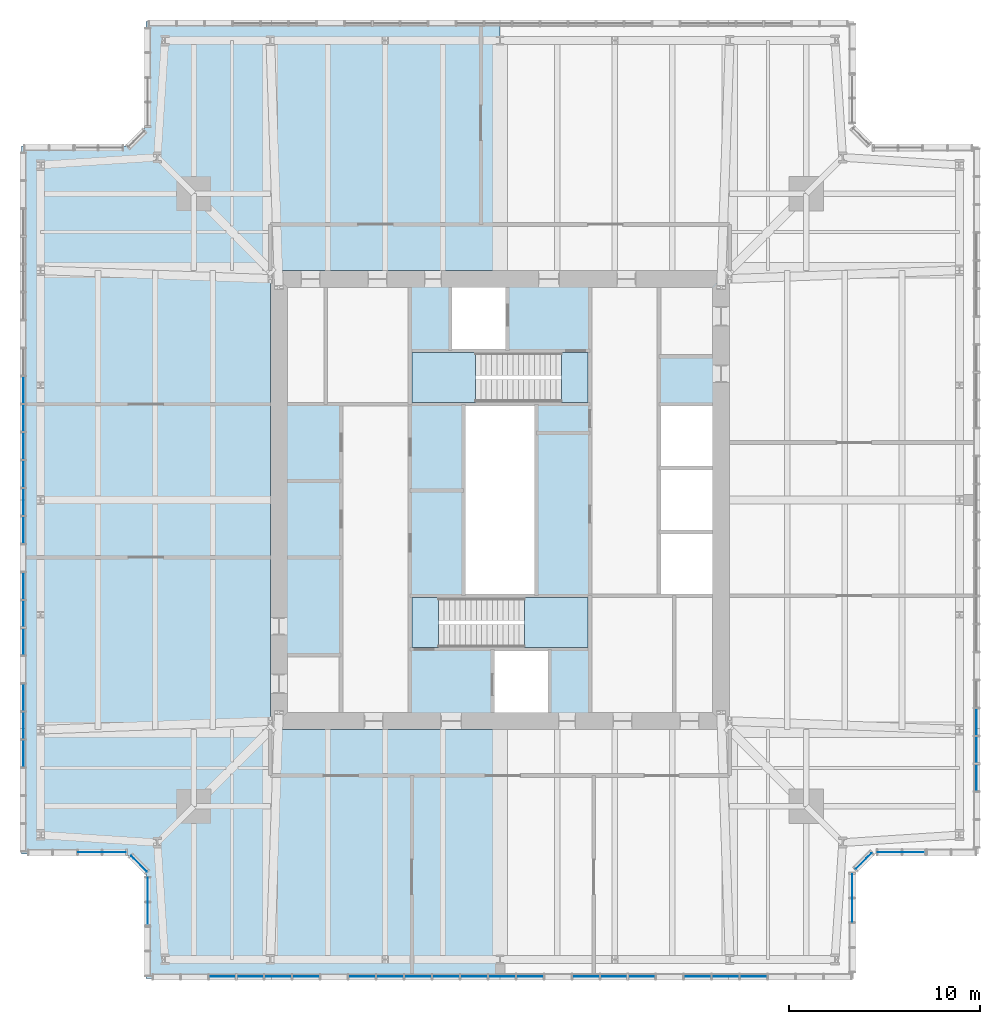
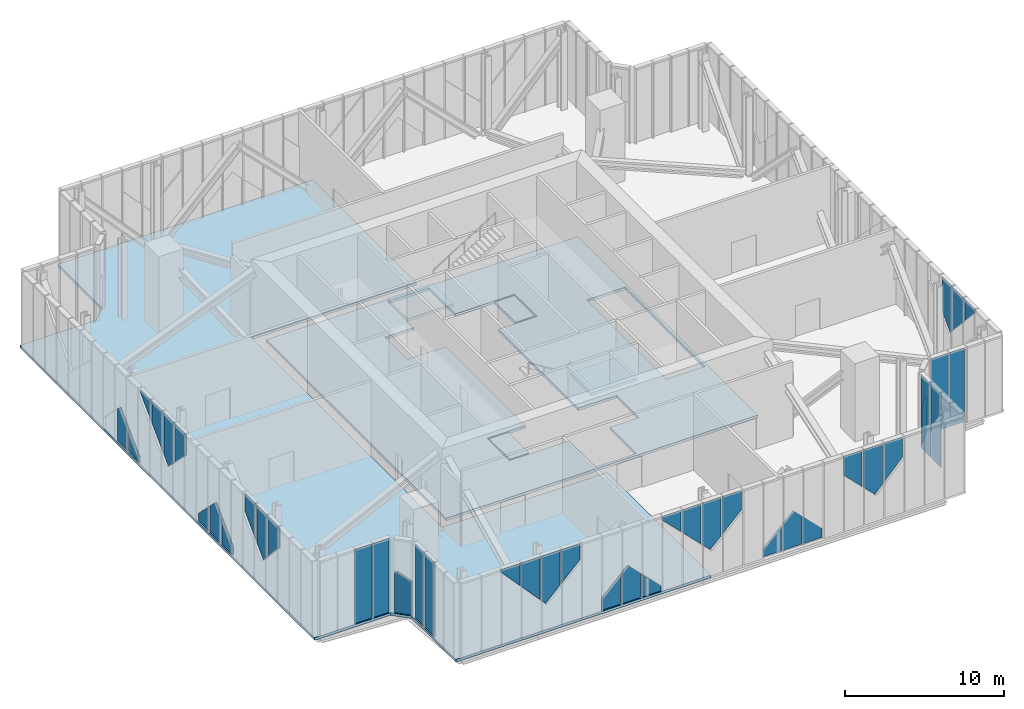
# One storey, part 9 of 18: 42 plates, 6 slabs, 11 elements without a shape of their own.
"""IFC4 building model written with IfcOpenShell, lengths in metres."""

from ifc_helpers import new_model, si_unit, direction, frame, origin, origin_2d, place, context, subcontext, project, spatial, polyline, rectangle, outline, extrude, material, layer, layer_set, type_object, element, aggregate, save


model = new_model("IFC4")

# Units and contexts
model_context = context("Model", 3, precision=1e-05, world=origin(), true_north=direction((0.0, 1.0)))
body_context = subcontext(model_context, "Body", "Model", "MODEL_VIEW")
ifc_project = project(units=[si_unit("LENGTHUNIT", "METRE"), si_unit("AREAUNIT", "SQUARE_METRE"), si_unit("VOLUMEUNIT", "CUBIC_METRE"), si_unit("PLANEANGLEUNIT", "RADIAN"), si_unit("MASSUNIT", "GRAM", prefix="KILO")], contexts=[model_context])

# Site, building, storey
site_placement = place(None, origin())
site = spatial("IfcSite", under=ifc_project, at=site_placement, CompositionType="ELEMENT")
building_placement = place(site_placement, origin())
building = spatial("IfcBuilding", under=site, at=building_placement, Name="Fenwick Lantern Interchange", CompositionType="ELEMENT")
storey_placement = place(building_placement, frame((0.0, 0.0, 301.800048828125)))
storey = spatial("IfcBuildingStorey", under=building, at=storey_placement, Name="L73", CompositionType="ELEMENT", Elevation=301.800048828125)

# Slabs
ifc_material_1 = material(Name="Concrete f'c 35 MPa", Category="concrete")
ifc_layer_1 = layer(ifc_material_1, 0.199951171875)
ifc_layer_set_1 = layer_set([ifc_layer_1], Name="CORE FLOOR SLAB 200")
slab_type_1 = type_object("IfcSlabType", Name="CORE FLOOR SLAB 200", PredefinedType="FLOOR", material=ifc_layer_set_1)
slab_1_placement = place(storey_placement, frame((0.0, 0.0, -0.199951171875)))
element("IfcSlab", 1, at=slab_1_placement, inside=storey, type_object=slab_type_1, Name="L73/SLAB/CORE", PredefinedType="FLOOR", context=body_context, shape_type="SweptSolid", body=[
    extrude(outline(polyline([(13.699951171875, 36.300048828125), (36.300048828125, 36.300048828125), (36.300048828125, 13.699951171875), (13.699951171875, 13.699951171875), (13.699951171875, 36.300048828125)]), holes=[polyline([(24.60009765625, 13.89990234375), (27.60009765625, 13.89990234375), (27.60009765625, 17.199951171875), (29.699951171875, 17.199951171875), (29.699951171875, 20.0), (26.89990234375, 20.0), (26.89990234375, 30.0), (29.699951171875, 30.0), (29.699951171875, 32.800048828125), (25.39990234375, 32.800048828125), (25.39990234375, 36.10009765625), (22.39990234375, 36.10009765625), (22.39990234375, 32.800048828125), (20.300048828125, 32.800048828125), (20.300048828125, 30.0), (23.10009765625, 30.0), (23.10009765625, 20.0), (20.300048828125, 20.0), (20.300048828125, 17.199951171875), (24.60009765625, 17.199951171875), (24.60009765625, 13.89990234375)]), polyline([(33.300048828125, 20.0), (36.10009765625, 20.0), (36.10009765625, 23.333251953125), (36.10009765625, 26.666748046875), (36.10009765625, 30.0), (33.300048828125, 30.0), (33.300048828125, 26.666748046875), (33.300048828125, 23.333251953125), (33.300048828125, 20.0)])]), origin(), (0.0, 0.0, 1.0), 0.199951171875),
])
ifc_material_2 = material(Name="Concrete f'c 35 MPa", Category="concrete")
ifc_layer_2 = layer(ifc_material_2, 0.199951171875)
ifc_layer_set_2 = layer_set([ifc_layer_2], Name="Concrete f'c 35 MPa")
slab_type_2 = type_object("IfcSlabType", Name="FLOOR SLAB 200", PredefinedType="FLOOR", material=ifc_layer_set_2)
slab_2_placement = place(storey_placement, frame((0.0, 0.0, -0.199951171875)))
element("IfcSlab", 2, at=slab_2_placement, inside=storey, type_object=slab_type_2, Name="L73/SLAB/FW", PredefinedType="FLOOR", context=body_context, shape_type="SweptSolid", body=[
    extrude(outline(polyline([(6.5, 0.0), (6.5, 5.5), (5.5, 6.5), (0.0, 6.5), (0.0, 43.5), (5.5, 43.5), (6.5, 44.5), (6.5, 50.0), (25.0, 50.0), (25.0, 37.0), (13.0, 37.0), (13.0, 13.0), (25.0, 13.0), (25.0, 0.0), (6.5, 0.0)])), origin(), (0.0, 0.0, 1.0), 0.199951171875),
])

# Curtain wall, plates
ifc_material_3 = material(Name="Aluminium curtain wall frame", Category="aluminium")
curtain_wall_type = type_object("IfcCurtainWallType", Name="LANTERN GLAZING", PredefinedType="USERDEFINED", material=ifc_material_3)
curtain_wall_1_placement = place(storey_placement, origin())
curtain_wall_1 = element("IfcCurtainWall", 3, at=curtain_wall_1_placement, inside=storey, type_object=curtain_wall_type, Name="Lantern glazing 01", ObjectType="LANTERN GLAZING", PredefinedType="USERDEFINED")
ifc_material_4 = material(Name="Lantern glass, fritted laminated single glazing", Category="glass")
ifc_layer_3 = layer(ifc_material_4, 0.02197265625)
ifc_layer_set_3 = layer_set([ifc_layer_3], Name="LANTERN GLAZING PANEL 22")
plate_type = type_object("IfcPlateType", Name="LANTERN GLAZING PANEL 22", PredefinedType="CURTAIN_PANEL", material=ifc_layer_set_3)
plate_1_placement = place(storey_placement, frame((6.60009765625, 0.10009765625, 3.99658203125), z_axis=(0.0, 0.0, 1.0), x_axis=(1.0, 0.0, 0.0)))
plate_1 = element("IfcPlate", 4, at=plate_1_placement, type_object=plate_type, Name="L73/CW/01/P02a", PredefinedType="CURTAIN_PANEL", context=body_context, shape_type="SweptSolid", body=[
    extrude(outline(polyline([(4.58251953125, 0.0), (4.58251953125, 1.663330078125), (3.20166015625, 1.663330078125), (3.20166015625, 1.50634765625), (4.58251953125, 0.0)])), frame((0.0, 0.010986328125, 0.0), z_axis=(0.0, -1.0, 0.0), x_axis=(1.0, 0.0, 0.0)), (0.0, 0.0, 1.0), 0.02197265625),
])
plate_2_placement = place(storey_placement, frame((6.60009765625, 0.10009765625, 2.403076171875), z_axis=(0.0, 0.0, 1.0), x_axis=(1.0, 0.0, 0.0)))
plate_2 = element("IfcPlate", 5, at=plate_2_placement, type_object=plate_type, Name="L73/CW/01/P03a", PredefinedType="CURTAIN_PANEL", context=body_context, shape_type="SweptSolid", body=[
    extrude(outline(polyline([(6.043212890625, 0.0), (6.043212890625, 3.2568359375), (4.662353515625, 3.2568359375), (4.662353515625, 1.50634765625), (6.043212890625, 0.0)])), frame((0.0, 0.010986328125, 0.0), z_axis=(0.0, -1.0, 0.0), x_axis=(1.0, 0.0, 0.0)), (0.0, 0.0, 1.0), 0.02197265625),
])
plate_3_placement = place(storey_placement, frame((6.60009765625, 0.10009765625, 1.9521484375), z_axis=(0.0, 0.0, 1.0), x_axis=(1.0, 0.0, 0.0)))
plate_3 = element("IfcPlate", 6, at=plate_3_placement, type_object=plate_type, Name="L73/CW/01/P04a", PredefinedType="CURTAIN_PANEL", context=body_context, shape_type="SweptSolid", body=[
    extrude(outline(polyline([(6.45654296875, 0.0), (7.50390625, 1.04736328125), (7.50390625, 3.707763671875), (6.123291015625, 3.707763671875), (6.123291015625, 0.363525390625), (6.45654296875, 0.0)])), frame((0.0, 0.010986328125, 0.0), z_axis=(0.0, -1.0, 0.0), x_axis=(1.0, 0.0, 0.0)), (0.0, 0.0, 1.0), 0.02197265625),
])
plate_4_placement = place(storey_placement, frame((6.60009765625, 0.10009765625, 3.07958984375), z_axis=(0.0, 0.0, 1.0), x_axis=(1.0, 0.0, 0.0)))
plate_4 = element("IfcPlate", 7, at=plate_4_placement, type_object=plate_type, Name="L73/CW/01/P05a", PredefinedType="CURTAIN_PANEL", context=body_context, shape_type="SweptSolid", body=[
    extrude(outline(polyline([(7.583984375, 0.0), (8.96484375, 1.380859375), (8.96484375, 2.580322265625), (7.583984375, 2.580322265625), (7.583984375, 0.0)])), frame((0.0, 0.010986328125, 0.0), z_axis=(0.0, -1.0, 0.0), x_axis=(1.0, 0.0, 0.0)), (0.0, 0.0, 1.0), 0.02197265625),
])
plate_5_placement = place(storey_placement, frame((6.60009765625, 0.10009765625, 0.0), z_axis=(0.0, 0.0, 1.0), x_axis=(1.0, 0.0, 0.0)))
plate_5 = element("IfcPlate", 8, at=plate_5_placement, type_object=plate_type, Name="L73/CW/01/P07a", PredefinedType="CURTAIN_PANEL", context=body_context, shape_type="SweptSolid", body=[
    extrude(outline(polyline([(10.505615234375, 0.0), (11.886474609375, 0.0), (11.886474609375, 2.290771484375), (10.505615234375, 0.909912109375), (10.505615234375, 0.0)])), frame((0.0, 0.010986328125, 0.0), z_axis=(0.0, -1.0, 0.0), x_axis=(1.0, 0.0, 0.0)), (0.0, 0.0, 1.0), 0.02197265625),
])
plate_6_placement = place(storey_placement, frame((6.60009765625, 0.10009765625, 0.0), z_axis=(0.0, 0.0, 1.0), x_axis=(1.0, 0.0, 0.0)))
plate_6 = element("IfcPlate", 9, at=plate_6_placement, type_object=plate_type, Name="L73/CW/01/P08a", PredefinedType="CURTAIN_PANEL", context=body_context, shape_type="SweptSolid", body=[
    extrude(outline(polyline([(11.96630859375, 0.0), (13.34716796875, 0.0), (13.34716796875, 1.857177734375), (12.39990234375, 2.804443359375), (11.96630859375, 2.370849609375), (11.96630859375, 0.0)])), frame((0.0, 0.010986328125, 0.0), z_axis=(0.0, -1.0, 0.0), x_axis=(1.0, 0.0, 0.0)), (0.0, 0.0, 1.0), 0.02197265625),
])
plate_7_placement = place(storey_placement, frame((6.60009765625, 0.10009765625, 0.0), z_axis=(0.0, 0.0, 1.0), x_axis=(1.0, 0.0, 0.0)))
plate_7 = element("IfcPlate", 10, at=plate_7_placement, type_object=plate_type, Name="L73/CW/01/P09a", PredefinedType="CURTAIN_PANEL", context=body_context, shape_type="SweptSolid", body=[
    extrude(outline(polyline([(13.42724609375, 0.0), (14.80810546875, 0.0), (14.80810546875, 0.396484375), (13.42724609375, 1.777099609375), (13.42724609375, 0.0)])), frame((0.0, 0.010986328125, 0.0), z_axis=(0.0, -1.0, 0.0), x_axis=(1.0, 0.0, 0.0)), (0.0, 0.0, 1.0), 0.02197265625),
])
plate_8_placement = place(storey_placement, frame((6.60009765625, 0.10009765625, 4.02685546875), z_axis=(0.0, 0.0, 1.0), x_axis=(1.0, 0.0, 0.0)))
plate_8 = element("IfcPlate", 11, at=plate_8_placement, type_object=plate_type, Name="L73/CW/01/P10a", PredefinedType="CURTAIN_PANEL", context=body_context, shape_type="SweptSolid", body=[
    extrude(outline(polyline([(16.268798828125, 0.0), (16.268798828125, 1.633056640625), (14.887939453125, 1.633056640625), (14.887939453125, 1.380615234375), (16.268798828125, 0.0)])), frame((0.0, 0.010986328125, 0.0), z_axis=(0.0, -1.0, 0.0), x_axis=(1.0, 0.0, 0.0)), (0.0, 0.0, 1.0), 0.02197265625),
])
plate_9_placement = place(storey_placement, frame((6.60009765625, 0.10009765625, 2.56591796875), z_axis=(0.0, 0.0, 1.0), x_axis=(1.0, 0.0, 0.0)))
plate_9 = element("IfcPlate", 12, at=plate_9_placement, type_object=plate_type, Name="L73/CW/01/P11a", PredefinedType="CURTAIN_PANEL", context=body_context, shape_type="SweptSolid", body=[
    extrude(outline(polyline([(17.7294921875, 0.0), (17.7294921875, 3.093994140625), (16.348876953125, 3.093994140625), (16.348876953125, 1.380859375), (17.7294921875, 0.0)])), frame((0.0, 0.010986328125, 0.0), z_axis=(0.0, -1.0, 0.0), x_axis=(1.0, 0.0, 0.0)), (0.0, 0.0, 1.0), 0.02197265625),
])
plate_10_placement = place(storey_placement, frame((6.60009765625, 0.10009765625, 1.8955078125), z_axis=(0.0, 0.0, 1.0), x_axis=(1.0, 0.0, 0.0)))
plate_10 = element("IfcPlate", 13, at=plate_10_placement, type_object=plate_type, Name="L73/CW/01/P12a", PredefinedType="CURTAIN_PANEL", context=body_context, shape_type="SweptSolid", body=[
    extrude(outline(polyline([(18.39990234375, 0.0), (19.1904296875, 0.79052734375), (19.1904296875, 3.764404296875), (17.8095703125, 3.764404296875), (17.8095703125, 0.59033203125), (18.39990234375, 0.0)])), frame((0.0, 0.010986328125, 0.0), z_axis=(0.0, -1.0, 0.0), x_axis=(1.0, 0.0, 0.0)), (0.0, 0.0, 1.0), 0.02197265625),
])
plate_11_placement = place(storey_placement, frame((6.60009765625, 0.10009765625, 2.765869140625), z_axis=(0.0, 0.0, 1.0), x_axis=(1.0, 0.0, 0.0)))
plate_11 = element("IfcPlate", 14, at=plate_11_placement, type_object=plate_type, Name="L73/CW/01/P13a", PredefinedType="CURTAIN_PANEL", context=body_context, shape_type="SweptSolid", body=[
    extrude(outline(polyline([(19.2705078125, 0.0), (20.651123046875, 1.380859375), (20.651123046875, 2.89404296875), (19.2705078125, 2.89404296875), (19.2705078125, 0.0)])), frame((0.0, 0.010986328125, 0.0), z_axis=(0.0, -1.0, 0.0), x_axis=(1.0, 0.0, 0.0)), (0.0, 0.0, 1.0), 0.02197265625),
])
plate_12_placement = place(storey_placement, frame((6.60009765625, 0.10009765625, 0.0), z_axis=(0.0, 0.0, 1.0), x_axis=(1.0, 0.0, 0.0)))
plate_12 = element("IfcPlate", 15, at=plate_12_placement, type_object=plate_type, Name="L73/CW/01/P15a", PredefinedType="CURTAIN_PANEL", context=body_context, shape_type="SweptSolid", body=[
    extrude(outline(polyline([(22.19189453125, 0.0), (23.57275390625, 0.0), (23.57275390625, 1.97705078125), (22.19189453125, 0.596435546875), (22.19189453125, 0.0)])), frame((0.0, 0.010986328125, 0.0), z_axis=(0.0, -1.0, 0.0), x_axis=(1.0, 0.0, 0.0)), (0.0, 0.0, 1.0), 0.02197265625),
])
plate_13_placement = place(storey_placement, frame((6.60009765625, 0.10009765625, 0.0), z_axis=(0.0, 0.0, 1.0), x_axis=(1.0, 0.0, 0.0)))
plate_13 = element("IfcPlate", 16, at=plate_13_placement, type_object=plate_type, Name="L73/CW/01/P16a", PredefinedType="CURTAIN_PANEL", context=body_context, shape_type="SweptSolid", body=[
    extrude(outline(polyline([(23.65283203125, 0.0), (25.03369140625, 0.0), (25.03369140625, 2.170654296875), (24.39990234375, 2.804443359375), (23.65283203125, 2.05712890625), (23.65283203125, 0.0)])), frame((0.0, 0.010986328125, 0.0), z_axis=(0.0, -1.0, 0.0), x_axis=(1.0, 0.0, 0.0)), (0.0, 0.0, 1.0), 0.02197265625),
])
plate_14_placement = place(storey_placement, frame((6.60009765625, 0.10009765625, 0.0), z_axis=(0.0, 0.0, 1.0), x_axis=(1.0, 0.0, 0.0)))
plate_14 = element("IfcPlate", 17, at=plate_14_placement, type_object=plate_type, Name="L73/CW/01/P17a", PredefinedType="CURTAIN_PANEL", context=body_context, shape_type="SweptSolid", body=[
    extrude(outline(polyline([(25.113525390625, 0.0), (26.494384765625, 0.0), (26.494384765625, 0.7099609375), (25.113525390625, 2.0908203125), (25.113525390625, 0.0)])), frame((0.0, 0.010986328125, 0.0), z_axis=(0.0, -1.0, 0.0), x_axis=(1.0, 0.0, 0.0)), (0.0, 0.0, 1.0), 0.02197265625),
])
plate_15_placement = place(storey_placement, frame((6.60009765625, 0.10009765625, 2.879638671875), z_axis=(0.0, 0.0, 1.0), x_axis=(1.0, 0.0, 0.0)))
plate_15 = element("IfcPlate", 18, at=plate_15_placement, type_object=plate_type, Name="L73/CW/01/P19a", PredefinedType="CURTAIN_PANEL", context=body_context, shape_type="SweptSolid", body=[
    extrude(outline(polyline([(29.416015625, 0.0), (29.416015625, 2.7802734375), (28.03515625, 2.7802734375), (28.03515625, 1.380615234375), (29.416015625, 0.0)])), frame((0.0, 0.010986328125, 0.0), z_axis=(0.0, -1.0, 0.0), x_axis=(1.0, 0.0, 0.0)), (0.0, 0.0, 1.0), 0.02197265625),
])
plate_16_placement = place(storey_placement, frame((6.60009765625, 0.10009765625, 1.9521484375), z_axis=(0.0, 0.0, 1.0), x_axis=(1.0, 0.0, 0.0)))
plate_16 = element("IfcPlate", 19, at=plate_16_placement, type_object=plate_type, Name="L73/CW/01/P20a", PredefinedType="CURTAIN_PANEL", context=body_context, shape_type="SweptSolid", body=[
    extrude(outline(polyline([(30.343505859375, 0.0), (30.876708984375, 0.581787109375), (30.876708984375, 3.707763671875), (29.49609375, 3.707763671875), (29.49609375, 0.847412109375), (30.343505859375, 0.0)])), frame((0.0, 0.010986328125, 0.0), z_axis=(0.0, -1.0, 0.0), x_axis=(1.0, 0.0, 0.0)), (0.0, 0.0, 1.0), 0.02197265625),
])
plate_17_placement = place(storey_placement, frame((6.60009765625, 0.10009765625, 2.62109375), z_axis=(0.0, 0.0, 1.0), x_axis=(1.0, 0.0, 0.0)))
plate_17 = element("IfcPlate", 20, at=plate_17_placement, type_object=plate_type, Name="L73/CW/01/P21a", PredefinedType="CURTAIN_PANEL", context=body_context, shape_type="SweptSolid", body=[
    extrude(outline(polyline([(30.956787109375, 0.0), (32.337646484375, 1.50634765625), (32.337646484375, 3.038818359375), (30.956787109375, 3.038818359375), (30.956787109375, 0.0)])), frame((0.0, 0.010986328125, 0.0), z_axis=(0.0, -1.0, 0.0), x_axis=(1.0, 0.0, 0.0)), (0.0, 0.0, 1.0), 0.02197265625),
])
aggregate(curtain_wall_1, [plate_1, plate_2, plate_3, plate_4, plate_5, plate_6, plate_7, plate_8, plate_9, plate_10, plate_11, plate_12, plate_13, plate_14, plate_15, plate_16, plate_17])

curtain_wall_2_placement = place(storey_placement, origin())
curtain_wall_2 = element("IfcCurtainWall", 21, at=curtain_wall_2_placement, inside=storey, type_object=curtain_wall_type, Name="Lantern glazing 02", ObjectType="LANTERN GLAZING", PredefinedType="USERDEFINED")
plate_18_placement = place(storey_placement, frame((43.39990234375, 3.56591796875, 0.0), z_axis=(0.0, 0.0, 1.0), x_axis=(0.0, 1.0, 0.0)))
plate_18 = element("IfcPlate", 22, at=plate_18_placement, type_object=plate_type, Name="L73/CW/02/P02", PredefinedType="CURTAIN_PANEL", context=body_context, shape_type="SweptSolid", body=[
    extrude(rectangle(XDim=1.21044921875, YDim=0.02197265625, at=origin_2d()), origin(), (0.0, 0.0, 1.0), 5.659912109375),
])
plate_19_placement = place(storey_placement, frame((43.39990234375, 4.856201171875, 0.0), z_axis=(0.0, 0.0, 1.0), x_axis=(0.0, 1.0, 0.0)))
plate_19 = element("IfcPlate", 23, at=plate_19_placement, type_object=plate_type, Name="L73/CW/02/P03", PredefinedType="CURTAIN_PANEL", context=body_context, shape_type="SweptSolid", body=[
    extrude(rectangle(XDim=1.21044921875, YDim=0.02197265625, at=origin_2d()), origin(), (0.0, 0.0, 1.0), 5.659912109375),
])
aggregate(curtain_wall_2, [plate_18, plate_19])

# Curtain wall, plate
curtain_wall_3_placement = place(storey_placement, origin())
curtain_wall_3 = element("IfcCurtainWall", 24, at=curtain_wall_3_placement, inside=storey, type_object=curtain_wall_type, Name="Lantern glazing 03", ObjectType="LANTERN GLAZING", PredefinedType="USERDEFINED")
plate_20_placement = place(storey_placement, frame((43.39990234375, 5.54150390625, 0.0), z_axis=(0.0, 0.0, 1.0), x_axis=(0.707106781187, 0.707106781187, 0.0)))
plate_20 = element("IfcPlate", 25, at=plate_20_placement, type_object=plate_type, Name="L73/CW/03/P00a", PredefinedType="CURTAIN_PANEL", context=body_context, shape_type="SweptSolid", body=[
    extrude(outline(polyline([(0.280029296875, 0.0), (1.4169921875, 0.0), (1.4169921875, 2.948486328125), (1.03076171875, 3.200439453125), (0.280029296875, 2.74609375), (0.280029296875, 0.0)])), frame((0.0, 0.010986328125, 0.0), z_axis=(0.0, -1.0, 0.0), x_axis=(1.0, 0.0, 0.0)), (0.0, 0.0, 1.0), 0.02197265625),
])
aggregate(curtain_wall_3, [plate_20])

# Curtain wall, plates
curtain_wall_4_placement = place(storey_placement, origin())
curtain_wall_4 = element("IfcCurtainWall", 26, at=curtain_wall_4_placement, inside=storey, type_object=curtain_wall_type, Name="Lantern glazing 04", ObjectType="LANTERN GLAZING", PredefinedType="USERDEFINED")
plate_21_placement = place(storey_placement, frame((45.34375, 6.60009765625, 0.0), z_axis=(0.0, 0.0, 1.0), x_axis=(1.0, 0.0, 0.0)))
plate_21 = element("IfcPlate", 27, at=plate_21_placement, type_object=plate_type, Name="L73/CW/04/P00", PredefinedType="CURTAIN_PANEL", context=body_context, shape_type="SweptSolid", body=[
    extrude(rectangle(XDim=1.21044921875, YDim=0.02197265625, at=origin_2d()), origin(), (0.0, 0.0, 1.0), 5.659912109375),
])
plate_22_placement = place(storey_placement, frame((44.45849609375, 6.60009765625, 0.0), z_axis=(0.0, 0.0, 1.0), x_axis=(1.0, 0.0, 0.0)))
plate_22 = element("IfcPlate", 28, at=plate_22_placement, type_object=plate_type, Name="L73/CW/04/P01a", PredefinedType="CURTAIN_PANEL", context=body_context, shape_type="SweptSolid", body=[
    extrude(outline(polyline([(1.5703125, 0.0), (2.741455078125, 0.0), (2.741455078125, 5.659912109375), (1.5703125, 5.659912109375), (1.5703125, 0.0)])), frame((0.0, 0.010986328125, 0.0), z_axis=(0.0, -1.0, 0.0), x_axis=(1.0, 0.0, 0.0)), (0.0, 0.0, 1.0), 0.02197265625),
])
aggregate(curtain_wall_4, [plate_21, plate_22])

curtain_wall_5_placement = place(storey_placement, origin())
curtain_wall_5 = element("IfcCurtainWall", 29, at=curtain_wall_5_placement, inside=storey, type_object=curtain_wall_type, Name="Lantern glazing 05", ObjectType="LANTERN GLAZING", PredefinedType="USERDEFINED")
plate_23_placement = place(storey_placement, frame((49.89990234375, 6.60009765625, 3.99658203125), z_axis=(0.0, 0.0, 1.0), x_axis=(0.0, 1.0, 0.0)))
plate_23 = element("IfcPlate", 30, at=plate_23_placement, type_object=plate_type, Name="L73/CW/05/P02a", PredefinedType="CURTAIN_PANEL", context=body_context, shape_type="SweptSolid", body=[
    extrude(outline(polyline([(4.58251953125, 0.0), (4.58251953125, 1.663330078125), (3.20166015625, 1.663330078125), (3.20166015625, 1.50634765625), (4.58251953125, 0.0)])), frame((0.0, 0.010986328125, 0.0), z_axis=(0.0, -1.0, 0.0), x_axis=(1.0, 0.0, 0.0)), (0.0, 0.0, 1.0), 0.02197265625),
])
plate_24_placement = place(storey_placement, frame((49.89990234375, 6.60009765625, 2.403076171875), z_axis=(0.0, 0.0, 1.0), x_axis=(0.0, 1.0, 0.0)))
plate_24 = element("IfcPlate", 31, at=plate_24_placement, type_object=plate_type, Name="L73/CW/05/P03a", PredefinedType="CURTAIN_PANEL", context=body_context, shape_type="SweptSolid", body=[
    extrude(outline(polyline([(6.043212890625, 0.0), (6.043212890625, 3.2568359375), (4.662353515625, 3.2568359375), (4.662353515625, 1.50634765625), (6.043212890625, 0.0)])), frame((0.0, 0.010986328125, 0.0), z_axis=(0.0, -1.0, 0.0), x_axis=(1.0, 0.0, 0.0)), (0.0, 0.0, 1.0), 0.02197265625),
])
plate_25_placement = place(storey_placement, frame((49.89990234375, 6.60009765625, 1.9521484375), z_axis=(0.0, 0.0, 1.0), x_axis=(0.0, 1.0, 0.0)))
plate_25 = element("IfcPlate", 32, at=plate_25_placement, type_object=plate_type, Name="L73/CW/05/P04a", PredefinedType="CURTAIN_PANEL", context=body_context, shape_type="SweptSolid", body=[
    extrude(outline(polyline([(6.45654296875, 0.0), (7.50390625, 1.04736328125), (7.50390625, 3.707763671875), (6.123291015625, 3.707763671875), (6.123291015625, 0.363525390625), (6.45654296875, 0.0)])), frame((0.0, 0.010986328125, 0.0), z_axis=(0.0, -1.0, 0.0), x_axis=(1.0, 0.0, 0.0)), (0.0, 0.0, 1.0), 0.02197265625),
])
aggregate(curtain_wall_5, [plate_23, plate_24, plate_25])

curtain_wall_6_placement = place(storey_placement, origin())
curtain_wall_6 = element("IfcCurtainWall", 33, at=curtain_wall_6_placement, inside=storey, type_object=curtain_wall_type, Name="Lantern glazing 13", ObjectType="LANTERN GLAZING", PredefinedType="USERDEFINED")
plate_26_placement = place(storey_placement, frame((0.10009765625, 43.39990234375, 0.0), z_axis=(0.0, 0.0, 1.0), x_axis=(0.0, -1.0, 0.0)))
plate_26 = element("IfcPlate", 34, at=plate_26_placement, type_object=plate_type, Name="L73/CW/13/P08a", PredefinedType="CURTAIN_PANEL", context=body_context, shape_type="SweptSolid", body=[
    extrude(outline(polyline([(11.96630859375, 0.0), (13.34716796875, 0.0), (13.34716796875, 1.857177734375), (12.39990234375, 2.804443359375), (11.96630859375, 2.370849609375), (11.96630859375, 0.0)])), frame((0.0, 0.010986328125, 0.0), z_axis=(0.0, -1.0, 0.0), x_axis=(1.0, 0.0, 0.0)), (0.0, 0.0, 1.0), 0.02197265625),
])
plate_27_placement = place(storey_placement, frame((0.10009765625, 43.39990234375, 0.0), z_axis=(0.0, 0.0, 1.0), x_axis=(0.0, -1.0, 0.0)))
plate_27 = element("IfcPlate", 35, at=plate_27_placement, type_object=plate_type, Name="L73/CW/13/P09a", PredefinedType="CURTAIN_PANEL", context=body_context, shape_type="SweptSolid", body=[
    extrude(outline(polyline([(13.42724609375, 0.0), (14.80810546875, 0.0), (14.80810546875, 0.396484375), (13.42724609375, 1.777099609375), (13.42724609375, 0.0)])), frame((0.0, 0.010986328125, 0.0), z_axis=(0.0, -1.0, 0.0), x_axis=(1.0, 0.0, 0.0)), (0.0, 0.0, 1.0), 0.02197265625),
])
plate_28_placement = place(storey_placement, frame((0.10009765625, 43.39990234375, 4.02685546875), z_axis=(0.0, 0.0, 1.0), x_axis=(0.0, -1.0, 0.0)))
plate_28 = element("IfcPlate", 36, at=plate_28_placement, type_object=plate_type, Name="L73/CW/13/P10a", PredefinedType="CURTAIN_PANEL", context=body_context, shape_type="SweptSolid", body=[
    extrude(outline(polyline([(16.268798828125, 0.0), (16.268798828125, 1.633056640625), (14.887939453125, 1.633056640625), (14.887939453125, 1.380615234375), (16.268798828125, 0.0)])), frame((0.0, 0.010986328125, 0.0), z_axis=(0.0, -1.0, 0.0), x_axis=(1.0, 0.0, 0.0)), (0.0, 0.0, 1.0), 0.02197265625),
])
plate_29_placement = place(storey_placement, frame((0.10009765625, 43.39990234375, 2.56591796875), z_axis=(0.0, 0.0, 1.0), x_axis=(0.0, -1.0, 0.0)))
plate_29 = element("IfcPlate", 37, at=plate_29_placement, type_object=plate_type, Name="L73/CW/13/P11a", PredefinedType="CURTAIN_PANEL", context=body_context, shape_type="SweptSolid", body=[
    extrude(outline(polyline([(17.7294921875, 0.0), (17.7294921875, 3.093994140625), (16.348876953125, 3.093994140625), (16.348876953125, 1.380859375), (17.7294921875, 0.0)])), frame((0.0, 0.010986328125, 0.0), z_axis=(0.0, -1.0, 0.0), x_axis=(1.0, 0.0, 0.0)), (0.0, 0.0, 1.0), 0.02197265625),
])
plate_30_placement = place(storey_placement, frame((0.10009765625, 43.39990234375, 1.8955078125), z_axis=(0.0, 0.0, 1.0), x_axis=(0.0, -1.0, 0.0)))
plate_30 = element("IfcPlate", 38, at=plate_30_placement, type_object=plate_type, Name="L73/CW/13/P12a", PredefinedType="CURTAIN_PANEL", context=body_context, shape_type="SweptSolid", body=[
    extrude(outline(polyline([(18.39990234375, 0.0), (19.1904296875, 0.79052734375), (19.1904296875, 3.764404296875), (17.8095703125, 3.764404296875), (17.8095703125, 0.59033203125), (18.39990234375, 0.0)])), frame((0.0, 0.010986328125, 0.0), z_axis=(0.0, -1.0, 0.0), x_axis=(1.0, 0.0, 0.0)), (0.0, 0.0, 1.0), 0.02197265625),
])
plate_31_placement = place(storey_placement, frame((0.10009765625, 43.39990234375, 2.765869140625), z_axis=(0.0, 0.0, 1.0), x_axis=(0.0, -1.0, 0.0)))
plate_31 = element("IfcPlate", 39, at=plate_31_placement, type_object=plate_type, Name="L73/CW/13/P13a", PredefinedType="CURTAIN_PANEL", context=body_context, shape_type="SweptSolid", body=[
    extrude(outline(polyline([(19.2705078125, 0.0), (20.651123046875, 1.380859375), (20.651123046875, 2.89404296875), (19.2705078125, 2.89404296875), (19.2705078125, 0.0)])), frame((0.0, 0.010986328125, 0.0), z_axis=(0.0, -1.0, 0.0), x_axis=(1.0, 0.0, 0.0)), (0.0, 0.0, 1.0), 0.02197265625),
])
plate_32_placement = place(storey_placement, frame((0.10009765625, 43.39990234375, 0.0), z_axis=(0.0, 0.0, 1.0), x_axis=(0.0, -1.0, 0.0)))
plate_32 = element("IfcPlate", 40, at=plate_32_placement, type_object=plate_type, Name="L73/CW/13/P15a", PredefinedType="CURTAIN_PANEL", context=body_context, shape_type="SweptSolid", body=[
    extrude(outline(polyline([(22.19189453125, 0.0), (23.57275390625, 0.0), (23.57275390625, 1.97705078125), (22.19189453125, 0.596435546875), (22.19189453125, 0.0)])), frame((0.0, 0.010986328125, 0.0), z_axis=(0.0, -1.0, 0.0), x_axis=(1.0, 0.0, 0.0)), (0.0, 0.0, 1.0), 0.02197265625),
])
plate_33_placement = place(storey_placement, frame((0.10009765625, 43.39990234375, 0.0), z_axis=(0.0, 0.0, 1.0), x_axis=(0.0, -1.0, 0.0)))
plate_33 = element("IfcPlate", 41, at=plate_33_placement, type_object=plate_type, Name="L73/CW/13/P16a", PredefinedType="CURTAIN_PANEL", context=body_context, shape_type="SweptSolid", body=[
    extrude(outline(polyline([(23.65283203125, 0.0), (25.03369140625, 0.0), (25.03369140625, 2.170654296875), (24.39990234375, 2.804443359375), (23.65283203125, 2.05712890625), (23.65283203125, 0.0)])), frame((0.0, 0.010986328125, 0.0), z_axis=(0.0, -1.0, 0.0), x_axis=(1.0, 0.0, 0.0)), (0.0, 0.0, 1.0), 0.02197265625),
])
plate_34_placement = place(storey_placement, frame((0.10009765625, 43.39990234375, 0.0), z_axis=(0.0, 0.0, 1.0), x_axis=(0.0, -1.0, 0.0)))
plate_34 = element("IfcPlate", 42, at=plate_34_placement, type_object=plate_type, Name="L73/CW/13/P17a", PredefinedType="CURTAIN_PANEL", context=body_context, shape_type="SweptSolid", body=[
    extrude(outline(polyline([(25.113525390625, 0.0), (26.494384765625, 0.0), (26.494384765625, 0.7099609375), (25.113525390625, 2.0908203125), (25.113525390625, 0.0)])), frame((0.0, 0.010986328125, 0.0), z_axis=(0.0, -1.0, 0.0), x_axis=(1.0, 0.0, 0.0)), (0.0, 0.0, 1.0), 0.02197265625),
])
plate_35_placement = place(storey_placement, frame((0.10009765625, 43.39990234375, 2.879638671875), z_axis=(0.0, 0.0, 1.0), x_axis=(0.0, -1.0, 0.0)))
plate_35 = element("IfcPlate", 43, at=plate_35_placement, type_object=plate_type, Name="L73/CW/13/P19a", PredefinedType="CURTAIN_PANEL", context=body_context, shape_type="SweptSolid", body=[
    extrude(outline(polyline([(29.416015625, 0.0), (29.416015625, 2.7802734375), (28.03515625, 2.7802734375), (28.03515625, 1.380615234375), (29.416015625, 0.0)])), frame((0.0, 0.010986328125, 0.0), z_axis=(0.0, -1.0, 0.0), x_axis=(1.0, 0.0, 0.0)), (0.0, 0.0, 1.0), 0.02197265625),
])
plate_36_placement = place(storey_placement, frame((0.10009765625, 43.39990234375, 1.9521484375), z_axis=(0.0, 0.0, 1.0), x_axis=(0.0, -1.0, 0.0)))
plate_36 = element("IfcPlate", 44, at=plate_36_placement, type_object=plate_type, Name="L73/CW/13/P20a", PredefinedType="CURTAIN_PANEL", context=body_context, shape_type="SweptSolid", body=[
    extrude(outline(polyline([(30.343505859375, 0.0), (30.876708984375, 0.581787109375), (30.876708984375, 3.707763671875), (29.49609375, 3.707763671875), (29.49609375, 0.847412109375), (30.343505859375, 0.0)])), frame((0.0, 0.010986328125, 0.0), z_axis=(0.0, -1.0, 0.0), x_axis=(1.0, 0.0, 0.0)), (0.0, 0.0, 1.0), 0.02197265625),
])
plate_37_placement = place(storey_placement, frame((0.10009765625, 43.39990234375, 2.62109375), z_axis=(0.0, 0.0, 1.0), x_axis=(0.0, -1.0, 0.0)))
plate_37 = element("IfcPlate", 45, at=plate_37_placement, type_object=plate_type, Name="L73/CW/13/P21a", PredefinedType="CURTAIN_PANEL", context=body_context, shape_type="SweptSolid", body=[
    extrude(outline(polyline([(30.956787109375, 0.0), (32.337646484375, 1.50634765625), (32.337646484375, 3.038818359375), (30.956787109375, 3.038818359375), (30.956787109375, 0.0)])), frame((0.0, 0.010986328125, 0.0), z_axis=(0.0, -1.0, 0.0), x_axis=(1.0, 0.0, 0.0)), (0.0, 0.0, 1.0), 0.02197265625),
])
aggregate(curtain_wall_6, [plate_26, plate_27, plate_28, plate_29, plate_30, plate_31, plate_32, plate_33, plate_34, plate_35, plate_36, plate_37])

curtain_wall_7_placement = place(storey_placement, origin())
curtain_wall_7 = element("IfcCurtainWall", 46, at=curtain_wall_7_placement, inside=storey, type_object=curtain_wall_type, Name="Lantern glazing 14", ObjectType="LANTERN GLAZING", PredefinedType="USERDEFINED")
plate_38_placement = place(storey_placement, frame((3.56591796875, 6.60009765625, 0.0), z_axis=(0.0, 0.0, 1.0), x_axis=(1.0, 0.0, 0.0)))
plate_38 = element("IfcPlate", 47, at=plate_38_placement, type_object=plate_type, Name="L73/CW/14/P02", PredefinedType="CURTAIN_PANEL", context=body_context, shape_type="SweptSolid", body=[
    extrude(rectangle(XDim=1.21044921875, YDim=0.02197265625, at=origin_2d()), origin(), (0.0, 0.0, 1.0), 5.659912109375),
])
plate_39_placement = place(storey_placement, frame((4.856201171875, 6.60009765625, 0.0), z_axis=(0.0, 0.0, 1.0), x_axis=(1.0, 0.0, 0.0)))
plate_39 = element("IfcPlate", 48, at=plate_39_placement, type_object=plate_type, Name="L73/CW/14/P03", PredefinedType="CURTAIN_PANEL", context=body_context, shape_type="SweptSolid", body=[
    extrude(rectangle(XDim=1.21044921875, YDim=0.02197265625, at=origin_2d()), origin(), (0.0, 0.0, 1.0), 5.659912109375),
])
aggregate(curtain_wall_7, [plate_38, plate_39])

# Curtain wall, plate
curtain_wall_8_placement = place(storey_placement, origin())
curtain_wall_8 = element("IfcCurtainWall", 49, at=curtain_wall_8_placement, inside=storey, type_object=curtain_wall_type, Name="Lantern glazing 15", ObjectType="LANTERN GLAZING", PredefinedType="USERDEFINED")
plate_40_placement = place(storey_placement, frame((5.54150390625, 6.60009765625, 0.0), z_axis=(0.0, 0.0, 1.0), x_axis=(0.707106781187, -0.707106781187, 0.0)))
plate_40 = element("IfcPlate", 50, at=plate_40_placement, type_object=plate_type, Name="L73/CW/15/P00a", PredefinedType="CURTAIN_PANEL", context=body_context, shape_type="SweptSolid", body=[
    extrude(outline(polyline([(0.280029296875, 0.0), (1.4169921875, 0.0), (1.4169921875, 2.625244140625), (0.46630859375, 3.200439453125), (0.280029296875, 3.0791015625), (0.280029296875, 0.0)])), frame((0.0, 0.010986328125, 0.0), z_axis=(0.0, -1.0, 0.0), x_axis=(1.0, 0.0, 0.0)), (0.0, 0.0, 1.0), 0.02197265625),
])
aggregate(curtain_wall_8, [plate_40])

# Curtain wall, plates
curtain_wall_9_placement = place(storey_placement, origin())
curtain_wall_9 = element("IfcCurtainWall", 51, at=curtain_wall_9_placement, inside=storey, type_object=curtain_wall_type, Name="Lantern glazing 16", ObjectType="LANTERN GLAZING", PredefinedType="USERDEFINED")
plate_41_placement = place(storey_placement, frame((6.60009765625, 4.65625, 0.0), z_axis=(0.0, 0.0, 1.0), x_axis=(0.0, -1.0, 0.0)))
plate_41 = element("IfcPlate", 52, at=plate_41_placement, type_object=plate_type, Name="L73/CW/16/P00", PredefinedType="CURTAIN_PANEL", context=body_context, shape_type="SweptSolid", body=[
    extrude(rectangle(XDim=1.21044921875, YDim=0.02197265625, at=origin_2d()), origin(), (0.0, 0.0, 1.0), 5.659912109375),
])
plate_42_placement = place(storey_placement, frame((6.60009765625, 5.54150390625, 0.0), z_axis=(0.0, 0.0, 1.0), x_axis=(0.0, -1.0, 0.0)))
plate_42 = element("IfcPlate", 53, at=plate_42_placement, type_object=plate_type, Name="L73/CW/16/P01a", PredefinedType="CURTAIN_PANEL", context=body_context, shape_type="SweptSolid", body=[
    extrude(outline(polyline([(1.5703125, 0.0), (2.741455078125, 0.0), (2.741455078125, 5.659912109375), (1.5703125, 5.659912109375), (1.5703125, 0.0)])), frame((0.0, 0.010986328125, 0.0), z_axis=(0.0, -1.0, 0.0), x_axis=(1.0, 0.0, 0.0)), (0.0, 0.0, 1.0), 0.02197265625),
])
aggregate(curtain_wall_9, [plate_41, plate_42])

# Stair, slabs
ifc_material_5 = material(Name="Precast concrete f'c 35 MPa", Category="concrete")
stair_type = type_object("IfcStairType", Name="EXIT STAIR 1200", PredefinedType="HALF_TURN_STAIR", material=ifc_material_5)
stair_1_placement = place(storey_placement, origin())
stair_1 = element("IfcStair", 54, at=stair_1_placement, inside=storey, type_object=stair_type, Name="Exit stair ST1", PredefinedType="HALF_TURN_STAIR")
ifc_layer_4 = layer(ifc_material_1, 0.199951171875)
ifc_layer_set_4 = layer_set([ifc_layer_4], Name="STAIR LANDING 200")
slab_type_3 = type_object("IfcSlabType", Name="STAIR LANDING 200", PredefinedType="LANDING", material=ifc_layer_set_4)
slab_3_placement = place(storey_placement, frame((0.0, 0.0, 2.800048828125)))
slab_3 = element("IfcSlab", 55, at=slab_3_placement, type_object=slab_type_3, Name="ST1 landing 1", PredefinedType="LANDING", context=body_context, shape_type="SweptSolid", body=[
    extrude(outline(polyline([(26.280029296875, 17.300048828125), (29.60009765625, 17.300048828125), (29.60009765625, 19.89990234375), (26.280029296875, 19.89990234375), (26.280029296875, 17.300048828125)])), origin(), (0.0, 0.0, 1.0), 0.199951171875),
])
slab_4_placement = place(storey_placement, frame((0.0, 0.0, -0.199951171875)))
slab_4 = element("IfcSlab", 56, at=slab_4_placement, type_object=slab_type_3, Name="ST1 landing 2", PredefinedType="LANDING", context=body_context, shape_type="SweptSolid", body=[
    extrude(outline(polyline([(20.39990234375, 17.300048828125), (21.800048828125, 17.300048828125), (21.800048828125, 19.89990234375), (20.39990234375, 19.89990234375), (20.39990234375, 17.300048828125)])), origin(), (0.0, 0.0, 1.0), 0.199951171875),
])
aggregate(stair_1, [slab_3, slab_4])

stair_2_placement = place(storey_placement, origin())
stair_2 = element("IfcStair", 57, at=stair_2_placement, inside=storey, type_object=stair_type, Name="Exit stair ST2", PredefinedType="HALF_TURN_STAIR")
slab_5_placement = place(storey_placement, frame((0.0, 0.0, 2.800048828125)))
slab_5 = element("IfcSlab", 58, at=slab_5_placement, type_object=slab_type_3, Name="ST2 landing 1", PredefinedType="LANDING", context=body_context, shape_type="SweptSolid", body=[
    extrude(outline(polyline([(23.719970703125, 32.699951171875), (20.39990234375, 32.699951171875), (20.39990234375, 30.10009765625), (23.719970703125, 30.10009765625), (23.719970703125, 32.699951171875)])), origin(), (0.0, 0.0, 1.0), 0.199951171875),
])
slab_6_placement = place(storey_placement, frame((0.0, 0.0, -0.199951171875)))
slab_6 = element("IfcSlab", 59, at=slab_6_placement, type_object=slab_type_3, Name="ST2 landing 2", PredefinedType="LANDING", context=body_context, shape_type="SweptSolid", body=[
    extrude(outline(polyline([(29.60009765625, 32.699951171875), (28.199951171875, 32.699951171875), (28.199951171875, 30.10009765625), (29.60009765625, 30.10009765625), (29.60009765625, 32.699951171875)])), origin(), (0.0, 0.0, 1.0), 0.199951171875),
])
aggregate(stair_2, [slab_5, slab_6])

save(model, "model.ifc")
